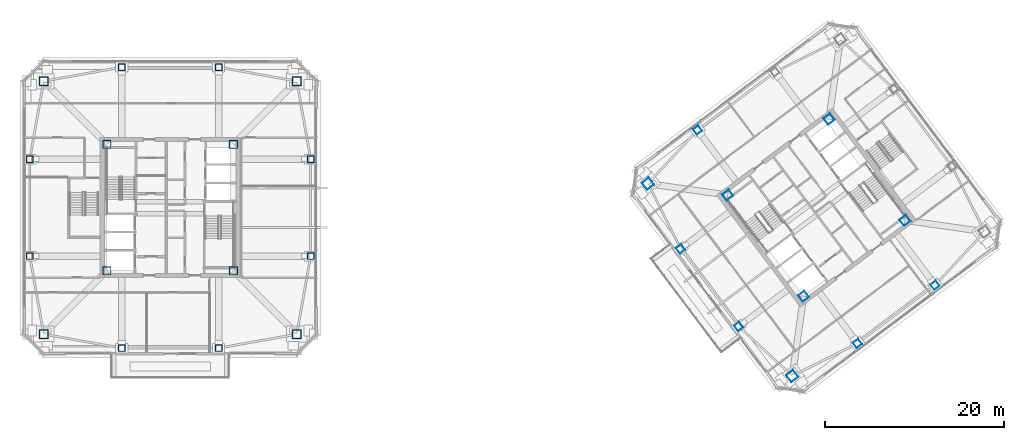
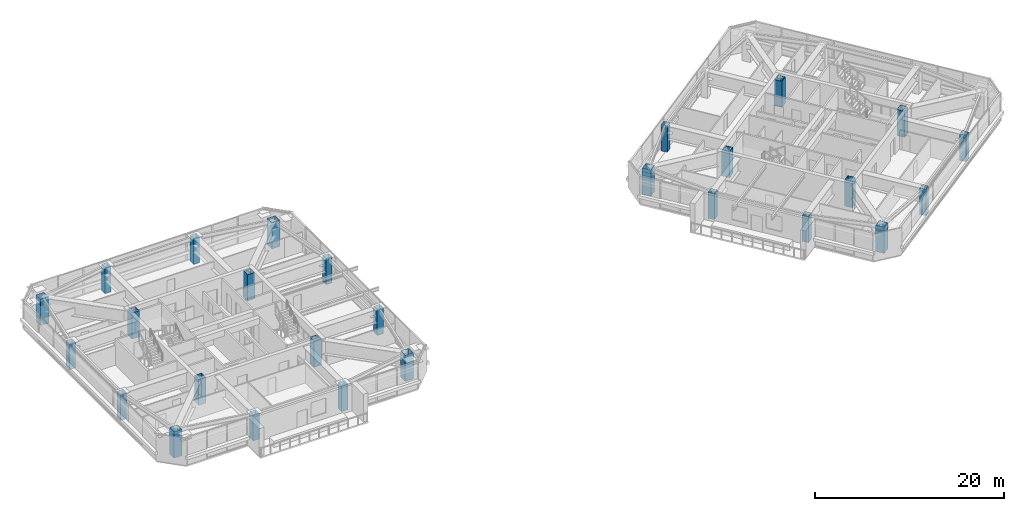
# One storey, part 1 of 40: 27 columns.
"""IFC4 building model written with IfcOpenShell, lengths in metres."""

from ifc_helpers import new_model, si_unit, direction, frame, origin, origin_2d, place, context, subcontext, project, spatial, hollow_rectangle, extrude, material, material_profile, profile_set, type_object, element, save


model = new_model("IFC4")

# Units and contexts
model_context = context("Model", 3, precision=1e-05, world=origin(), true_north=direction((0.0, 1.0)))
body_context = subcontext(model_context, "Body", "Model", "MODEL_VIEW")
ifc_project = project(units=[si_unit("LENGTHUNIT", "METRE"), si_unit("AREAUNIT", "SQUARE_METRE"), si_unit("VOLUMEUNIT", "CUBIC_METRE"), si_unit("PLANEANGLEUNIT", "RADIAN"), si_unit("MASSUNIT", "GRAM", prefix="KILO")], contexts=[model_context])

# Site, building, storey
site_placement = place(None, origin())
site = spatial("IfcSite", under=ifc_project, at=site_placement, CompositionType="ELEMENT")
building_placement = place(site_placement, origin())
building = spatial("IfcBuilding", under=site, at=building_placement, Name="Tashvorn Skyway Center", CompositionType="ELEMENT")
storey_placement = place(building_placement, frame((0.0, 0.0, 229.050048828125)))
storey = spatial("IfcBuildingStorey", under=building, at=storey_placement, Name="L62", CompositionType="ELEMENT", Elevation=229.050048828125)

# Columns
ifc_material = material(Name="Steel ASTM A572 Grade 50", Category="steel")
ifc_material_profile_1 = material_profile(ifc_material, hollow_rectangle(XDim=1.0, YDim=1.0, WallThickness=0.0400390625, at=origin_2d()), Name="BOX1000x1000x40")
ifc_profile_set_1 = profile_set([ifc_material_profile_1], Name="Steel ASTM A572 Grade 50")
column_type_1 = type_object("IfcColumnType", Name="COL-BOX1000x1000x40", PredefinedType="COLUMN", material=ifc_profile_set_1)
for number, where, z_axis, x_axis, name in (
    (1, (27.89990234375, 17.89990234375, 0.0), (0.0, 0.0, 1.0), (1.0, 0.0, 0.0), "Tower 1 L62 Mega-Column MC-SW"),
    (2, (56.10009765625, 17.89990234375, 0.0), (0.0, 0.0, 1.0), (1.0, 0.0, 0.0), "Tower 1 L62 Mega-Column MC-SE"),
    (3, (56.10009765625, 46.10009765625, 0.0), (0.0, 0.0, 1.0), (1.0, 0.0, 0.0), "Tower 1 L62 Mega-Column MC-NE"),
    (4, (27.89990234375, 46.10009765625, 0.0), (0.0, 0.0, 1.0), (1.0, 0.0, 0.0), "Tower 1 L62 Mega-Column MC-NW"),
    (5, (111.320068359375, 13.239990234375, 0.0), (0.0, 0.0, 1.0), (0.799999996291, 0.600000004945, 0.0), "Tower 2 L62 Mega-Column MC-SW"),
    (6, (95.239990234375, 34.679931640625, 0.0), (0.0, 0.0, 1.0), (0.799999996291, 0.600000004945, 0.0), "Tower 2 L62 Mega-Column MC-NW"),
):
    element("IfcColumn", number, at=place(storey_placement, frame(where, z_axis=z_axis, x_axis=x_axis)), inside=storey, type_object=column_type_1, Name=name, PredefinedType="COLUMN", context=body_context, shape_type="SweptSolid", body=[
        extrude(hollow_rectangle(XDim=1.0, YDim=1.0, WallThickness=0.0400390625, at=origin_2d()), origin(), (0.0, 0.0, 1.0), 3.369873046875),
    ])
ifc_material_profile_2 = material_profile(ifc_material, hollow_rectangle(XDim=0.75, YDim=0.75, WallThickness=0.031982421875, at=origin_2d()), Name="BOX750x750x32")
ifc_profile_set_2 = profile_set([ifc_material_profile_2], Name="Steel ASTM A572 Grade 50")
column_type_2 = type_object("IfcColumnType", Name="COL-BOX750x750x32", PredefinedType="COLUMN", material=ifc_profile_set_2)
for number, where, z_axis, x_axis, name in (
    (7, (36.60009765625, 16.35009765625, 0.0), (0.0, 0.0, 1.0), (1.0, 0.0, 0.0), "Tower 1 L62 Perimeter Column FC-S1"),
    (8, (47.39990234375, 16.35009765625, 0.0), (0.0, 0.0, 1.0), (1.0, 0.0, 0.0), "Tower 1 L62 Perimeter Column FC-S2"),
    (9, (57.64990234375, 26.60009765625, 0.0), (0.0, 0.0, 1.0), (1.0, 0.0, 0.0), "Tower 1 L62 Perimeter Column FC-E1"),
    (10, (57.64990234375, 37.39990234375, 0.0), (0.0, 0.0, 1.0), (1.0, 0.0, 0.0), "Tower 1 L62 Perimeter Column FC-E2"),
    (11, (47.39990234375, 47.64990234375, 0.0), (0.0, 0.0, 1.0), (1.0, 0.0, 0.0), "Tower 1 L62 Perimeter Column FC-N1"),
    (12, (36.60009765625, 47.64990234375, 0.0), (0.0, 0.0, 1.0), (1.0, 0.0, 0.0), "Tower 1 L62 Perimeter Column FC-N2"),
    (13, (26.35009765625, 37.39990234375, 0.0), (0.0, 0.0, 1.0), (1.0, 0.0, 0.0), "Tower 1 L62 Perimeter Column FC-W1"),
    (14, (26.35009765625, 26.60009765625, 0.0), (0.0, 0.0, 1.0), (1.0, 0.0, 0.0), "Tower 1 L62 Perimeter Column FC-W2"),
    (15, (118.590087890625, 16.8798828125, 0.0), (0.0, 0.0, 1.0), (0.799999996291, 0.600000004945, 0.0), "Tower 2 L62 Perimeter Column FC-S1"),
    (16, (127.22998046875, 23.360107421875, 0.0), (0.0, 0.0, 1.0), (0.799999996291, 0.600000004945, 0.0), "Tower 2 L62 Perimeter Column FC-S2"),
    (17, (100.77001953125, 40.639892578125, 0.0), (0.0, 0.0, 1.0), (0.799999996291, 0.600000004945, 0.0), "Tower 2 L62 Perimeter Column FC-N2"),
    (18, (98.8798828125, 27.409912109375, 0.0), (0.0, 0.0, 1.0), (0.799999996291, 0.600000004945, 0.0), "Tower 2 L62 Perimeter Column FC-W1"),
    (19, (105.360107421875, 18.77001953125, 0.0), (0.0, 0.0, 1.0), (0.799999996291, 0.600000004945, 0.0), "Tower 2 L62 Perimeter Column FC-W2"),
):
    element("IfcColumn", number, at=place(storey_placement, frame(where, z_axis=z_axis, x_axis=x_axis)), inside=storey, type_object=column_type_2, Name=name, PredefinedType="COLUMN", context=body_context, shape_type="SweptSolid", body=[
        extrude(hollow_rectangle(XDim=0.75, YDim=0.75, WallThickness=0.031982421875, at=origin_2d()), origin(), (0.0, 0.0, 1.0), 3.369873046875),
    ])
ifc_material_profile_3 = material_profile(ifc_material, hollow_rectangle(XDim=0.89990234375, YDim=0.89990234375, WallThickness=0.0400390625, at=origin_2d()), Name="BOX900x900x40")
ifc_profile_set_3 = profile_set([ifc_material_profile_3], Name="Steel ASTM A572 Grade 50")
column_type_3 = type_object("IfcColumnType", Name="COL-BOX900x900x40", PredefinedType="COLUMN", material=ifc_profile_set_3)
for number, where, z_axis, x_axis, name in (
    (20, (34.949951171875, 24.949951171875, 0.0), (0.0, 0.0, 1.0), (1.0, 0.0, 0.0), "Tower 1 L62 Core Corner Column CC-SW"),
    (21, (49.050048828125, 24.949951171875, 0.0), (0.0, 0.0, 1.0), (1.0, 0.0, 0.0), "Tower 1 L62 Core Corner Column CC-SE"),
    (22, (49.050048828125, 39.050048828125, 0.0), (0.0, 0.0, 1.0), (1.0, 0.0, 0.0), "Tower 1 L62 Core Corner Column CC-NE"),
    (23, (34.949951171875, 39.050048828125, 0.0), (0.0, 0.0, 1.0), (1.0, 0.0, 0.0), "Tower 1 L62 Core Corner Column CC-NW"),
    (24, (112.590087890625, 22.1298828125, 0.0), (0.0, 0.0, 1.0), (0.799999996291, 0.600000004945, 0.0), "Tower 2 L62 Core Corner Column CC-SW"),
    (25, (123.8701171875, 30.590087890625, 0.0), (0.0, 0.0, 1.0), (0.799999996291, 0.600000004945, 0.0), "Tower 2 L62 Core Corner Column CC-SE"),
    (26, (115.409912109375, 41.8701171875, 0.0), (0.0, 0.0, 1.0), (0.799999996291, 0.600000004945, 0.0), "Tower 2 L62 Core Corner Column CC-NE"),
    (27, (104.1298828125, 33.409912109375, 0.0), (0.0, 0.0, 1.0), (0.799999996291, 0.600000004945, 0.0), "Tower 2 L62 Core Corner Column CC-NW"),
):
    element("IfcColumn", number, at=place(storey_placement, frame(where, z_axis=z_axis, x_axis=x_axis)), inside=storey, type_object=column_type_3, Name=name, PredefinedType="COLUMN", context=body_context, shape_type="SweptSolid", body=[
        extrude(hollow_rectangle(XDim=0.89990234375, YDim=0.89990234375, WallThickness=0.0400390625, at=origin_2d()), origin(), (0.0, 0.0, 1.0), 3.369873046875),
    ])

save(model, "model.ifc")
